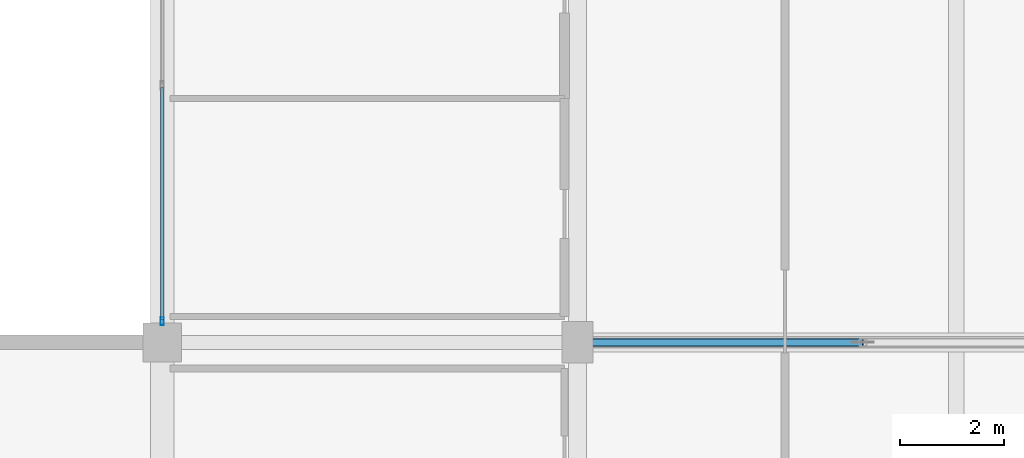
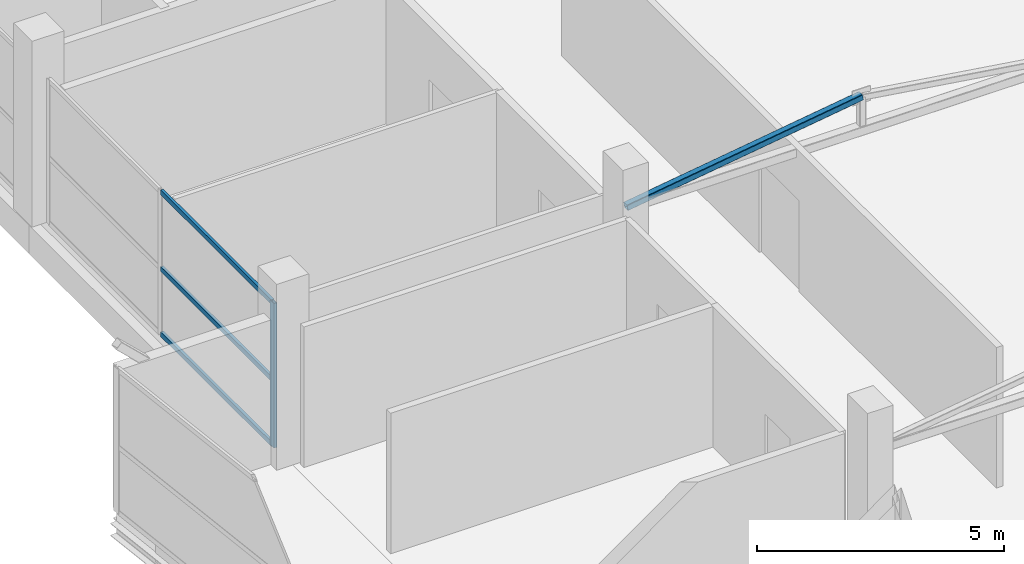
# One storey, part 14 of 49: 5 members, 1 element without a shape of its own.
"""IFC4 building model written with IfcOpenShell, lengths in metres."""

from ifc_helpers import new_model, si_unit, direction, frame, origin, origin_2d, place, context, subcontext, project, spatial, hollow_rectangle, extrude, material, layer, layer_set, material_profile, profile_set, type_object, element, aggregate, save


model = new_model("IFC4")

# Units and contexts
model_context = context("Model", 3, precision=1e-05, world=origin(), true_north=direction((0.0, 1.0)))
body_context = subcontext(model_context, "Body", "Model", "MODEL_VIEW")
ifc_project = project(units=[si_unit("LENGTHUNIT", "METRE"), si_unit("AREAUNIT", "SQUARE_METRE"), si_unit("VOLUMEUNIT", "CUBIC_METRE"), si_unit("PLANEANGLEUNIT", "RADIAN"), si_unit("MASSUNIT", "GRAM", prefix="KILO")], contexts=[model_context])

# Site, building, storey
site_placement = place(None, origin())
site = spatial("IfcSite", under=ifc_project, at=site_placement, CompositionType="ELEMENT")
building_placement = place(site_placement, origin())
building = spatial("IfcBuilding", under=site, at=building_placement, Name="Sillaruma Civic Art Gallery", CompositionType="ELEMENT")
storey_placement = place(building_placement, frame((0.0, 0.0, 33.14990234375)))
storey = spatial("IfcBuildingStorey", under=building, at=storey_placement, Name="L06", CompositionType="ELEMENT", Elevation=33.14990234375)

# Member
ifc_material_1 = material(Name="Structural Steel ASTM A500 Gr.C", Category="steel")
ifc_material_profile_1 = material_profile(ifc_material_1, hollow_rectangle(XDim=0.14990234375, YDim=0.14990234375, WallThickness=0.010009765625, InnerFilletRadius=0.010009765625, OuterFilletRadius=0.02001953125, at=origin_2d()), Name="HSS150x150x10")
ifc_profile_set_1 = profile_set([ifc_material_profile_1], Name="Structural Steel ASTM A500 Gr.C")
member_type_1 = type_object("IfcMemberType", Name="MEM-BRACE-HSS150x150x10", PredefinedType="BRACE", material=ifc_profile_set_1)
member_1_placement = place(storey_placement, frame((70.0, 59.39990234375, 3.360107421875), z_axis=(0.989377720719, 0.0, 0.145367553959), x_axis=(0.0, 1.0, 0.0)))
element("IfcMember", 1, at=member_1_placement, inside=storey, type_object=member_type_1, Name="Warren Truss Diagonal TR-L06-2-D1", PredefinedType="BRACE", context=body_context, shape_type="SweptSolid", body=[
    extrude(hollow_rectangle(XDim=0.14990234375, YDim=0.14990234375, WallThickness=0.010009765625, InnerFilletRadius=0.010009765625, OuterFilletRadius=0.02001953125, at=origin_2d()), origin(), (0.0, 0.0, 1.0), 5.55908203125),
])

# Curtain wall, members
ifc_material_2 = material(Name="Thermally Broken Extruded Aluminium 6063-T6", Category="aluminium")
ifc_layer = layer(ifc_material_2, 0.159912109375, Name="Thermally Broken Extruded Aluminium 6063-T6")
ifc_layer_set = layer_set([ifc_layer], Name="Thermally Broken Extruded Aluminium 6063-T6")
curtain_wall_type = type_object("IfcCurtainWallType", Name="CW-UNI-39", PredefinedType="NOTDEFINED", material=ifc_layer_set)
curtain_wall_placement = place(storey_placement, origin())
curtain_wall = element("IfcCurtainWall", 2, at=curtain_wall_placement, inside=storey, type_object=curtain_wall_type, Name="Unitised Curtain Wall CW-39 (CW-L06-W-5)", PredefinedType="NOTDEFINED")
ifc_material_profile_2 = material_profile(ifc_material_2, hollow_rectangle(XDim=0.06494140625, YDim=0.159912109375, WallThickness=0.00390625, at=origin_2d()), Name="CWM65x160")
ifc_profile_set_2 = profile_set([ifc_material_profile_2], Name="Thermally Broken Extruded Aluminium 6063-T6")
member_type_2 = type_object("IfcMemberType", Name="MEM-MUL-CWM65x160", PredefinedType="MULLION", material=ifc_profile_set_2)
member_2_placement = place(storey_placement, frame((62.0, 59.8076171875, 0.0), z_axis=(0.0, 0.0, 1.0), x_axis=(-1.0, 0.0, 0.0)))
member_2 = element("IfcMember", 3, at=member_2_placement, type_object=member_type_2, Name="CW-39 mullion 1", PredefinedType="MULLION", context=body_context, shape_type="SweptSolid", body=[
    extrude(hollow_rectangle(XDim=0.06494140625, YDim=0.159912109375, WallThickness=0.00390625, at=origin_2d()), origin(), (0.0, 0.0, 1.0), 3.570068359375),
])
ifc_material_profile_3 = material_profile(ifc_material_2, hollow_rectangle(XDim=0.06494140625, YDim=0.1201171875, WallThickness=0.00341796875, at=origin_2d()), Name="CWT65x120")
ifc_profile_set_3 = profile_set([ifc_material_profile_3], Name="Thermally Broken Extruded Aluminium 6063-T6")
member_type_3 = type_object("IfcMemberType", Name="MEM-TRN-CWT65x120", PredefinedType="USERDEFINED", material=ifc_profile_set_3)
member_3_placement = place(storey_placement, frame((62.0, 59.840087890625, 0.03271484375), z_axis=(0.0, 1.0, 0.0), x_axis=(-1.0, 0.0, 0.0)))
member_3 = element("IfcMember", 4, at=member_3_placement, type_object=member_type_3, Name="CW-39 transom 1.1", ObjectType="TRANSOM", PredefinedType="USERDEFINED", context=body_context, shape_type="SweptSolid", body=[
    extrude(hollow_rectangle(XDim=0.06494140625, YDim=0.1201171875, WallThickness=0.00341796875, at=origin_2d()), origin(), (0.0, 0.0, 1.0), 4.477294921875),
])
member_4_placement = place(storey_placement, frame((62.0, 59.840087890625, 1.642333984375), z_axis=(0.0, 1.0, 0.0), x_axis=(-1.0, 0.0, 0.0)))
member_4 = element("IfcMember", 5, at=member_4_placement, type_object=member_type_3, Name="CW-39 transom 1.2", ObjectType="TRANSOM", PredefinedType="USERDEFINED", context=body_context, shape_type="SweptSolid", body=[
    extrude(hollow_rectangle(XDim=0.06494140625, YDim=0.1201171875, WallThickness=0.00341796875, at=origin_2d()), origin(), (0.0, 0.0, 1.0), 4.477294921875),
])
member_5_placement = place(storey_placement, frame((62.0, 59.840087890625, 3.53759765625), z_axis=(0.0, 1.0, 0.0), x_axis=(-1.0, 0.0, 0.0)))
member_5 = element("IfcMember", 6, at=member_5_placement, type_object=member_type_3, Name="CW-39 transom 1.3", ObjectType="TRANSOM", PredefinedType="USERDEFINED", context=body_context, shape_type="SweptSolid", body=[
    extrude(hollow_rectangle(XDim=0.06494140625, YDim=0.1201171875, WallThickness=0.00341796875, at=origin_2d()), origin(), (0.0, 0.0, 1.0), 4.477294921875),
])
aggregate(curtain_wall, [member_2, member_3, member_4, member_5])

save(model, "model.ifc")
